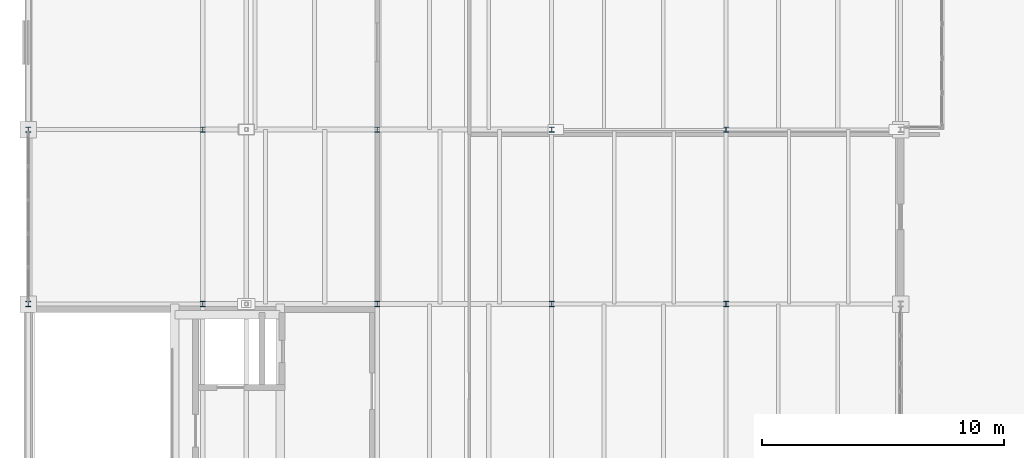
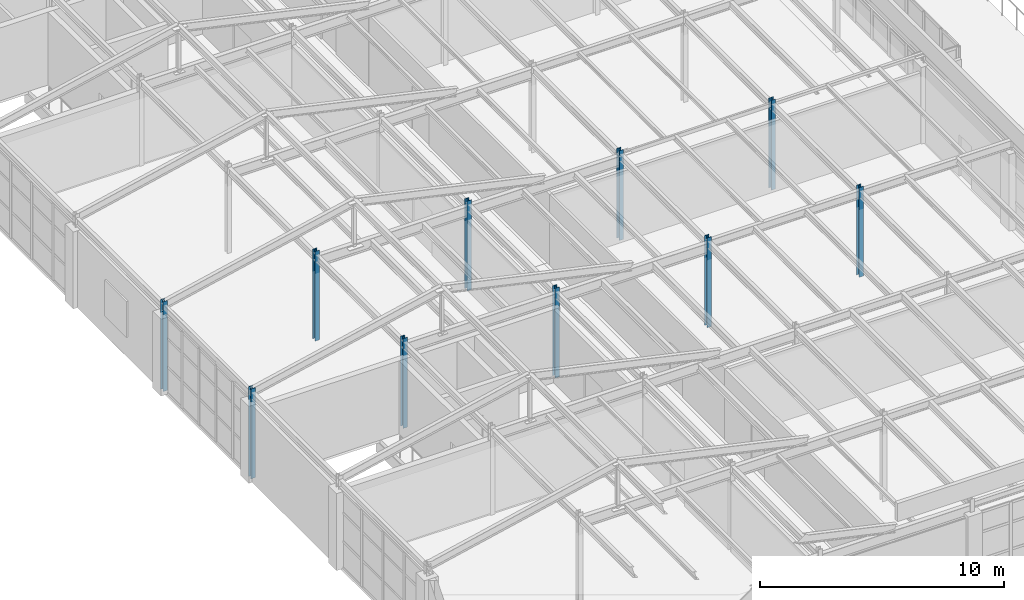
# One storey, part 3 of 43: 10 columns.
"""IFC4 building model written with IfcOpenShell, lengths in metres."""

from ifc_helpers import new_model, si_unit, direction, frame, origin, origin_2d, place, context, subcontext, project, spatial, i_section, extrude, material, material_profile, profile_set, type_object, element, save


model = new_model("IFC4")

# Units and contexts
model_context = context("Model", 3, precision=1e-05, world=origin(), true_north=direction((0.0, 1.0)))
body_context = subcontext(model_context, "Body", "Model", "MODEL_VIEW")
ifc_project = project(units=[si_unit("LENGTHUNIT", "METRE"), si_unit("AREAUNIT", "SQUARE_METRE"), si_unit("VOLUMEUNIT", "CUBIC_METRE"), si_unit("PLANEANGLEUNIT", "RADIAN"), si_unit("MASSUNIT", "GRAM", prefix="KILO")], contexts=[model_context])

# Site, building, storey
site_placement = place(None, origin())
site = spatial("IfcSite", under=ifc_project, at=site_placement, CompositionType="ELEMENT")
building_placement = place(site_placement, origin())
building = spatial("IfcBuilding", under=site, at=building_placement, Name="Kemerveld Promenade Tramway Depot", CompositionType="ELEMENT")
storey_placement = place(building_placement, frame((0.0, 0.0, 18.89990234375)))
storey = spatial("IfcBuildingStorey", under=building, at=storey_placement, Name="L04", CompositionType="ELEMENT", Elevation=18.89990234375)

# Columns
ifc_material = material(Name="Steel S355", Category="steel")
ifc_material_profile = material_profile(ifc_material, i_section(OverallWidth=0.205810546875, OverallDepth=0.209716796875, WebThickness=0.009521484375, FlangeThickness=0.01416015625, FilletRadius=0.01025390625, at=origin_2d()), Name="203x203x60 UC")
ifc_profile_set = profile_set([ifc_material_profile], Name="Steel S355")
column_type = type_object("IfcColumnType", Name="COL-S10", PredefinedType="COLUMN", material=ifc_profile_set)
for number, where, z_axis, x_axis, name in (
    (1, (0.0, 21.60009765625, 0.0), (0.0, 0.0, 1.0), (1.0, 0.0, 0.0), "COL-L04-01-D"),
    (2, (0.0, 28.800048828125, 0.0), (0.0, 0.0, 1.0), (1.0, 0.0, 0.0), "COL-L04-01-E"),
    (3, (7.199951171875, 21.60009765625, 0.0), (0.0, 0.0, 1.0), (1.0, 0.0, 0.0), "COL-L04-02-D"),
    (4, (7.199951171875, 28.800048828125, 0.0), (0.0, 0.0, 1.0), (1.0, 0.0, 0.0), "COL-L04-02-E"),
    (5, (14.39990234375, 21.60009765625, 0.0), (0.0, 0.0, 1.0), (1.0, 0.0, 0.0), "COL-L04-03-D"),
    (6, (14.39990234375, 28.800048828125, 0.0), (0.0, 0.0, 1.0), (1.0, 0.0, 0.0), "COL-L04-03-E"),
    (7, (21.60009765625, 21.60009765625, 0.0), (0.0, 0.0, 1.0), (1.0, 0.0, 0.0), "COL-L04-04-D"),
    (8, (21.60009765625, 28.800048828125, 0.0), (0.0, 0.0, 1.0), (1.0, 0.0, 0.0), "COL-L04-04-E"),
    (9, (28.800048828125, 21.60009765625, 0.0), (0.0, 0.0, 1.0), (1.0, 0.0, 0.0), "COL-L04-05-D"),
    (10, (28.800048828125, 28.800048828125, 0.0), (0.0, 0.0, 1.0), (1.0, 0.0, 0.0), "COL-L04-05-E"),
):
    element("IfcColumn", number, at=place(storey_placement, frame(where, z_axis=z_axis, x_axis=x_axis)), inside=storey, type_object=column_type, Name=name, PredefinedType="COLUMN", context=body_context, shape_type="SweptSolid", body=[
        extrude(i_section(OverallWidth=0.205810546875, OverallDepth=0.209716796875, WebThickness=0.009521484375, FlangeThickness=0.01416015625, FilletRadius=0.01025390625, at=origin_2d()), origin(), (0.0, 0.0, 1.0), 4.5),
    ])

save(model, "model.ifc")
